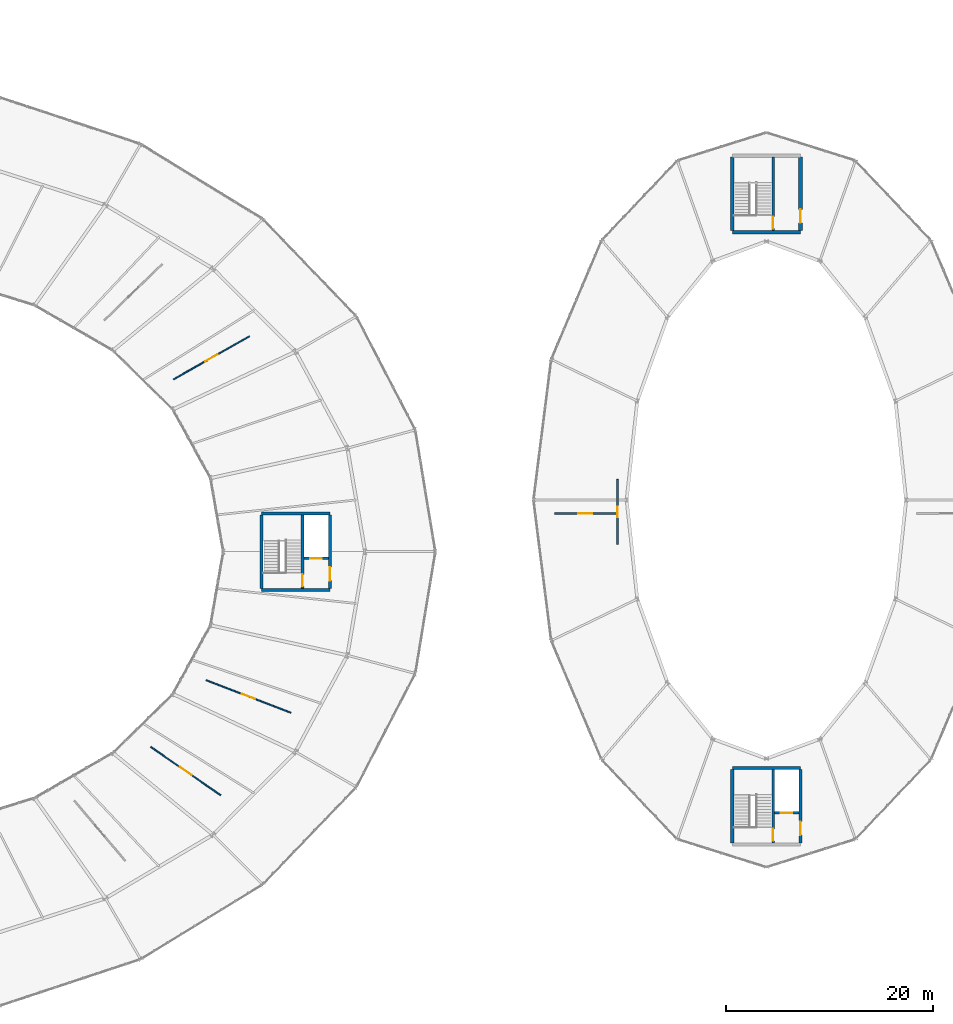
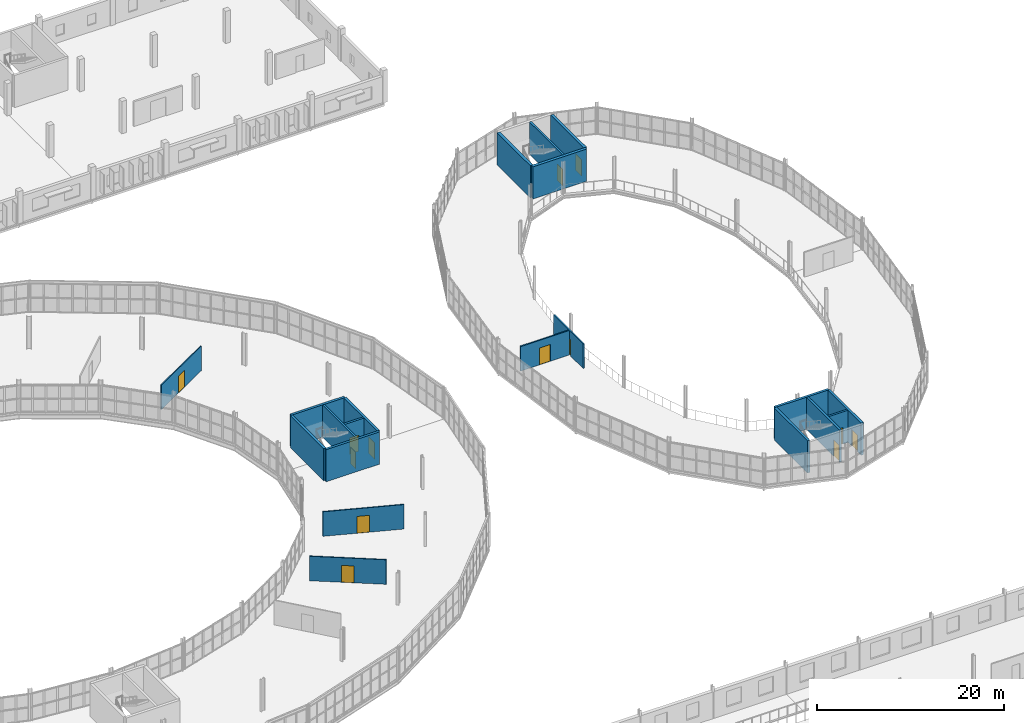
# One storey, part 142 of 161: 20 walls, 13 doors, 13 openings.
"""IFC4 building model written with IfcOpenShell, lengths in metres."""

from ifc_helpers import new_model, si_unit, direction, frame, frame_2d, origin, place, context, subcontext, project, spatial, rectangle, extrude, material, layer, layer_set, type_object, element, fill, save


model = new_model("IFC4")

# Units and contexts
model_context = context("Model", 3, precision=1e-05, world=origin(), true_north=direction((0.0, 1.0)))
body_context = subcontext(model_context, "Body", "Model", "MODEL_VIEW")
ifc_project = project(units=[si_unit("LENGTHUNIT", "METRE"), si_unit("AREAUNIT", "SQUARE_METRE"), si_unit("VOLUMEUNIT", "CUBIC_METRE"), si_unit("PLANEANGLEUNIT", "RADIAN"), si_unit("MASSUNIT", "GRAM", prefix="KILO")], contexts=[model_context])

# Site, building, storey
site_placement = place(None, origin())
site = spatial("IfcSite", under=ifc_project, at=site_placement, CompositionType="ELEMENT")
building_placement = place(site_placement, origin())
building = spatial("IfcBuilding", under=site, at=building_placement, Name="Kildeholm Park Wholesale Market", CompositionType="ELEMENT")
storey_placement = place(building_placement, frame((0.0, 0.0, 5.39990234375)))
storey = spatial("IfcBuildingStorey", under=building, at=storey_placement, Name="L01", CompositionType="ELEMENT", Elevation=5.39990234375)

# Wall, opening, door
ifc_material_1 = material(Name="Galvanized steel stud and moisture-resistant tile partition", Category="steel")
ifc_layer_1 = layer(ifc_material_1, 0.1201171875)
ifc_layer_set_1 = layer_set([ifc_layer_1], Name="Galvanized steel stud and moisture-resistant tile partition")
wall_type_1 = type_object("IfcWallType", Name="Partition W-PT02 120 mm", PredefinedType="PARTITIONING", material=ifc_layer_set_1)
wall_1_placement = place(storey_placement, frame((130.6669921875, 106.158935546875, 0.0), z_axis=(0.0, 0.0, 1.0), x_axis=(0.869564093622, 0.493820095869, 0.0)))
wall_1 = element("IfcWall", 1, at=wall_1_placement, inside=storey, type_object=wall_type_1, Name="Interior partition W-V1-ST1-02 WL-0935", PredefinedType="PARTITIONING", context=body_context, shape_type="SweptSolid", body=[
    extrude(rectangle(XDim=8.442138671875, YDim=0.1201171875, at=frame_2d((4.22119140625, 0.0))), origin(), (0.0, 0.0, 1.0), 3.2001953125),
])
opening_1_placement = place(wall_1_placement, frame((3.5458984375, 0.0, 0.0)))
opening_1 = element("IfcOpeningElement", 2, at=opening_1_placement, cuts=wall_1, Name="Opening D-IN07", PredefinedType="OPENING", context=body_context, shape_type="SweptSolid", body=[
    extrude(rectangle(XDim=1.35009765625, YDim=2.199951171875, at=frame_2d((0.675048828125, 1.10009765625))), frame((0.0, 0.070068359375, 0.0), z_axis=(0.0, -1.0, 0.0), x_axis=(1.0, 0.0, 0.0)), (0.0, 0.0, 1.0), 0.14013671875),
])
ifc_material_2 = material(Name="Wholesale stall service doorset")
door_type_1 = type_object("IfcDoorType", Name="Interior door D-IN07 1350x2200", OperationType="NOTDEFINED", PredefinedType="DOOR", material=ifc_material_2)
door_1_placement = place(opening_1_placement, origin())
door_1 = element("IfcDoor", 3, at=door_1_placement, inside=storey, type_object=door_type_1, Name="Interior door V1-ST1-02 DR-0210 WL-0935", OperationType="SINGLE_SWING_RIGHT", OverallHeight=2.199951171875, OverallWidth=1.35009765625, PredefinedType="DOOR", context=body_context, shape_type="SweptSolid", body=[
    extrude(rectangle(XDim=1.35009765625, YDim=2.199951171875, at=frame_2d((0.675048828125, 1.10009765625))), frame((0.0, 0.02490234375, 0.0), z_axis=(0.0, -1.0, 0.0), x_axis=(1.0, 0.0, 0.0)), (0.0, 0.0, 1.0), 0.050048828125),
])
fill(opening_1, door_1)

wall_2_placement = place(storey_placement, frame((128.47509765625, 70.6259765625, 0.0), z_axis=(0.0, 0.0, 1.0), x_axis=(0.822666462931, -0.568524309743, 0.0)))
wall_2 = element("IfcWall", 4, at=wall_2_placement, inside=storey, type_object=wall_type_1, Name="Interior partition W-V1-ST1-21 WL-0952", PredefinedType="PARTITIONING", context=body_context, shape_type="SweptSolid", body=[
    extrude(rectangle(XDim=8.22314453125, YDim=0.1201171875, at=frame_2d((4.111572265625, 0.0))), origin(), (0.0, 0.0, 1.0), 3.2001953125),
])
opening_2_placement = place(wall_2_placement, frame((3.43701171875, 0.0, 0.0)))
opening_2 = element("IfcOpeningElement", 5, at=opening_2_placement, cuts=wall_2, Name="Opening D-IN07", PredefinedType="OPENING", context=body_context, shape_type="SweptSolid", body=[
    extrude(rectangle(XDim=1.35009765625, YDim=2.199951171875, at=frame_2d((0.675048828125, 1.10009765625))), frame((0.0, 0.070068359375, 0.0), z_axis=(0.0, -1.0, 0.0), x_axis=(1.0, 0.0, 0.0)), (0.0, 0.0, 1.0), 0.14013671875),
])
door_2_placement = place(opening_2_placement, origin())
door_2 = element("IfcDoor", 6, at=door_2_placement, inside=storey, type_object=door_type_1, Name="Interior door V1-ST1-21 DR-0227 WL-0952", OperationType="SINGLE_SWING_LEFT", OverallHeight=2.199951171875, OverallWidth=1.35009765625, PredefinedType="DOOR", context=body_context, shape_type="SweptSolid", body=[
    extrude(rectangle(XDim=1.35009765625, YDim=2.199951171875, at=frame_2d((0.675048828125, 1.10009765625))), frame((0.0, 0.02490234375, 0.0), z_axis=(0.0, -1.0, 0.0), x_axis=(1.0, 0.0, 0.0)), (0.0, 0.0, 1.0), 0.050048828125),
])
fill(opening_2, door_2)

wall_3_placement = place(storey_placement, frame((133.830078125, 77.08203125, 0.0), z_axis=(0.0, 0.0, 1.0), x_axis=(0.933238808021, -0.359256631399, 0.0)))
wall_3 = element("IfcWall", 7, at=wall_3_placement, inside=storey, type_object=wall_type_1, Name="Interior partition W-V1-ST1-22 WL-0955", PredefinedType="PARTITIONING", context=body_context, shape_type="SweptSolid", body=[
    extrude(rectangle(XDim=8.7822265625, YDim=0.1201171875, at=frame_2d((4.39111328125, 0.0))), origin(), (0.0, 0.0, 1.0), 3.2001953125),
])
opening_3_placement = place(wall_3_placement, frame((3.716064453125, 0.0, 0.0)))
opening_3 = element("IfcOpeningElement", 8, at=opening_3_placement, cuts=wall_3, Name="Opening D-IN07", PredefinedType="OPENING", context=body_context, shape_type="SweptSolid", body=[
    extrude(rectangle(XDim=1.35009765625, YDim=2.199951171875, at=frame_2d((0.675048828125, 1.10009765625))), frame((0.0, 0.070068359375, 0.0), z_axis=(0.0, -1.0, 0.0), x_axis=(1.0, 0.0, 0.0)), (0.0, 0.0, 1.0), 0.14013671875),
])
door_3_placement = place(opening_3_placement, origin())
door_3 = element("IfcDoor", 9, at=door_3_placement, inside=storey, type_object=door_type_1, Name="Interior door V1-ST1-22 DR-0230 WL-0955", OperationType="SINGLE_SWING_RIGHT", OverallHeight=2.199951171875, OverallWidth=1.35009765625, PredefinedType="DOOR", context=body_context, shape_type="SweptSolid", body=[
    extrude(rectangle(XDim=1.35009765625, YDim=2.199951171875, at=frame_2d((0.675048828125, 1.10009765625))), frame((0.0, 0.02490234375, 0.0), z_axis=(0.0, -1.0, 0.0), x_axis=(1.0, 0.0, 0.0)), (0.0, 0.0, 1.0), 0.050048828125),
])
fill(opening_3, door_3)

ifc_material_3 = material(Name="Hygienic ceramic-tiled wet fish stall partition")
ifc_layer_2 = layer(ifc_material_3, 0.1650390625)
ifc_layer_set_2 = layer_set([ifc_layer_2], Name="Hygienic ceramic-tiled wet fish stall partition")
wall_type_2 = type_object("IfcWallType", Name="Partition W-PT05 165 mm", PredefinedType="PARTITIONING", material=ifc_layer_set_2)
wall_4_placement = place(storey_placement, frame((167.5, 93.199951171875, 0.0), z_axis=(0.0, 0.0, 1.0), x_axis=(1.0, 0.0, 0.0)))
wall_4 = element("IfcWall", 10, at=wall_4_placement, inside=storey, type_object=wall_type_2, Name="Interior partition W-V2-L01-W WL-0962", PredefinedType="PARTITIONING", context=body_context, shape_type="SweptSolid", body=[
    extrude(rectangle(XDim=6.0, YDim=0.1650390625, at=frame_2d((3.0, 0.0))), origin(), (0.0, 0.0, 1.0), 3.2001953125),
])
opening_4_placement = place(wall_4_placement, frame((2.324951171875, 0.0, 0.0)))
opening_4 = element("IfcOpeningElement", 11, at=opening_4_placement, cuts=wall_4, Name="Opening D-IN07", PredefinedType="OPENING", context=body_context, shape_type="SweptSolid", body=[
    extrude(rectangle(XDim=1.35009765625, YDim=2.199951171875, at=frame_2d((0.675048828125, 1.10009765625))), frame((0.0, 0.092529296875, 0.0), z_axis=(0.0, -1.0, 0.0), x_axis=(1.0, 0.0, 0.0)), (0.0, 0.0, 1.0), 0.18505859375),
])
door_4_placement = place(opening_4_placement, origin())
door_4 = element("IfcDoor", 12, at=door_4_placement, inside=storey, type_object=door_type_1, Name="Interior door V2-L01-W DR-0237 WL-0962", OperationType="SINGLE_SWING_LEFT", OverallHeight=2.199951171875, OverallWidth=1.35009765625, PredefinedType="DOOR", context=body_context, shape_type="SweptSolid", body=[
    extrude(rectangle(XDim=1.35009765625, YDim=2.199951171875, at=frame_2d((0.675048828125, 1.10009765625))), frame((0.0, 0.02490234375, 0.0), z_axis=(0.0, -1.0, 0.0), x_axis=(1.0, 0.0, 0.0)), (0.0, 0.0, 1.0), 0.050048828125),
])
fill(opening_4, door_4)

ifc_material_4 = material(Name="Tile-faced sanitary core partition")
ifc_layer_3 = layer(ifc_material_4, 0.155029296875)
ifc_layer_set_3 = layer_set([ifc_layer_3], Name="Tile-faced sanitary core partition")
wall_type_3 = type_object("IfcWallType", Name="Partition W-PT15 155 mm", PredefinedType="PARTITIONING", material=ifc_layer_set_3)
wall_5_placement = place(storey_placement, frame((173.60009765625, 90.199951171875, 0.0), z_axis=(0.0, 0.0, 1.0), x_axis=(0.0, 1.0, 0.0)))
wall_5 = element("IfcWall", 13, at=wall_5_placement, inside=storey, type_object=wall_type_3, Name="Interior partition W-V2-WC-E1 WL-0961", PredefinedType="PARTITIONING", context=body_context, shape_type="SweptSolid", body=[
    extrude(rectangle(XDim=6.300048828125, YDim=0.155029296875, at=frame_2d((3.14990234375, 0.0))), origin(), (0.0, 0.0, 1.0), 3.2001953125),
])
opening_5_placement = place(wall_5_placement, frame((2.64990234375, 0.0, 0.0)))
opening_5 = element("IfcOpeningElement", 14, at=opening_5_placement, cuts=wall_5, Name="Opening D-IN02", PredefinedType="OPENING", context=body_context, shape_type="SweptSolid", body=[
    extrude(rectangle(XDim=1.0, YDim=2.10009765625, at=frame_2d((0.5, 1.050048828125))), frame((0.0, 0.08740234375, 0.0), z_axis=(0.0, -1.0, 0.0), x_axis=(1.0, 0.0, 0.0)), (0.0, 0.0, 1.0), 0.175048828125),
])
ifc_material_5 = material(Name="Hygienic laminate accessible WC doorset")
door_type_2 = type_object("IfcDoorType", Name="Interior door D-IN02 1000x2100", OperationType="NOTDEFINED", PredefinedType="DOOR", material=ifc_material_5)
door_5_placement = place(opening_5_placement, origin())
door_5 = element("IfcDoor", 15, at=door_5_placement, inside=storey, type_object=door_type_2, Name="Interior door V2-WC-E1 DR-0236 WL-0961", OperationType="SINGLE_SWING_RIGHT", OverallHeight=2.10009765625, OverallWidth=1.0, PredefinedType="DOOR", context=body_context, shape_type="SweptSolid", body=[
    extrude(rectangle(XDim=1.0, YDim=2.10009765625, at=frame_2d((0.5, 1.050048828125))), frame((0.0, 0.02490234375, 0.0), z_axis=(0.0, -1.0, 0.0), x_axis=(1.0, 0.0, 0.0)), (0.0, 0.0, 1.0), 0.050048828125),
])
fill(opening_5, door_5)

# Walls
ifc_material_6 = material(Name="Concrete C40/50", Category="concrete")
ifc_layer_4 = layer(ifc_material_6, 0.300048828125)
ifc_layer_set_4 = layer_set([ifc_layer_4], Name="Concrete C40/50")
wall_type_4 = type_object("IfcWallType", Name="Shear wall W-SH1 300 mm", PredefinedType="SHEAR", material=ifc_layer_set_4)
for number, where, z_axis, x_axis, name in (
    (16, (139.199951171875, 85.800048828125, 0.0), (0.0, 0.0, 1.0), (1.0, 0.0, 0.0), "Core C08 south shear wall L01 WL-0798"),
    (17, (139.199951171875, 93.199951171875, 0.0), (0.0, 0.0, 1.0), (1.0, 0.0, 0.0), "Core C08 north shear wall L01 WL-0799"),
):
    element("IfcWall", number, at=place(storey_placement, frame(where, z_axis=z_axis, x_axis=x_axis)), inside=storey, type_object=wall_type_4, Name=name, PredefinedType="SHEAR", context=body_context, shape_type="SweptSolid", body=[
        extrude(rectangle(XDim=6.60009765625, YDim=0.300048828125, at=frame_2d((3.300048828125, 0.0))), origin(), (0.0, 0.0, 1.0), 4.2001953125),
    ])
wall_6_placement = place(storey_placement, frame((139.199951171875, 85.949951171875, 0.0), z_axis=(0.0, 0.0, 1.0), x_axis=(0.0, 1.0, 0.0)))
element("IfcWall", 18, at=wall_6_placement, inside=storey, type_object=wall_type_4, Name="Core C08 west shear wall L01 WL-0800", PredefinedType="SHEAR", context=body_context, shape_type="SweptSolid", body=[
    extrude(rectangle(XDim=7.10009765625, YDim=0.300048828125, at=frame_2d((3.550048828125, 0.0))), origin(), (0.0, 0.0, 1.0), 4.2001953125),
])

# Wall, opening, door
wall_7_placement = place(storey_placement, frame((145.800048828125, 85.949951171875, 0.0), z_axis=(0.0, 0.0, 1.0), x_axis=(0.0, 1.0, 0.0)))
wall_7 = element("IfcWall", 19, at=wall_7_placement, inside=storey, type_object=wall_type_4, Name="Core C08 east shear wall L01 WL-0801", PredefinedType="SHEAR", context=body_context, shape_type="SweptSolid", body=[
    extrude(rectangle(XDim=7.10009765625, YDim=0.300048828125, at=frame_2d((3.550048828125, 0.0))), origin(), (0.0, 0.0, 1.0), 4.2001953125),
])
opening_6_placement = place(wall_7_placement, frame((0.75, 0.0, 0.0)))
opening_6 = element("IfcOpeningElement", 20, at=opening_6_placement, cuts=wall_7, Name="Opening D-CR02", PredefinedType="OPENING", context=body_context, shape_type="SweptSolid", body=[
    extrude(rectangle(XDim=1.300048828125, YDim=2.14990234375, at=frame_2d((0.64990234375, 1.074951171875))), frame((0.0, 0.159912109375, 0.0), z_axis=(0.0, -1.0, 0.0), x_axis=(1.0, 0.0, 0.0)), (0.0, 0.0, 1.0), 0.320068359375),
])
ifc_material_7 = material(Name="Painted steel core lobby double-leaf doorset", Category="steel")
door_type_3 = type_object("IfcDoorType", Name="Interior door D-CR02 1300x2150", OperationType="NOTDEFINED", PredefinedType="DOOR", material=ifc_material_7)
door_6_placement = place(opening_6_placement, frame((1.300048828125, 0.0, 0.0), z_axis=(0.0, 0.0, 1.0), x_axis=(-1.0, 0.0, 0.0)))
door_6 = element("IfcDoor", 21, at=door_6_placement, inside=storey, type_object=door_type_3, Name="Core C08 lobby entrance door L01 DR-0150 WL-0801", OperationType="DOUBLE_DOOR_SINGLE_SWING", OverallHeight=2.14990234375, OverallWidth=1.300048828125, PredefinedType="DOOR", context=body_context, shape_type="SweptSolid", body=[
    extrude(rectangle(XDim=1.300048828125, YDim=2.14990234375, at=frame_2d((0.64990234375, 1.074951171875))), frame((0.0, 0.02490234375, 0.0), z_axis=(0.0, -1.0, 0.0), x_axis=(1.0, 0.0, 0.0)), (0.0, 0.0, 1.0), 0.050048828125),
])
fill(opening_6, door_6)

# Walls
wall_8_placement = place(storey_placement, frame((184.699951171875, 68.60009765625, 0.0), z_axis=(0.0, 0.0, 1.0), x_axis=(1.0, 0.0, 0.0)))
element("IfcWall", 22, at=wall_8_placement, inside=storey, type_object=wall_type_4, Name="Core C12 north shear wall L01 WL-0865", PredefinedType="SHEAR", context=body_context, shape_type="SweptSolid", body=[
    extrude(rectangle(XDim=6.60009765625, YDim=0.300048828125, at=frame_2d((3.300048828125, 0.0))), origin(), (0.0, 0.0, 1.0), 4.2001953125),
])
wall_9_placement = place(storey_placement, frame((184.699951171875, 61.35009765625, 0.0), z_axis=(0.0, 0.0, 1.0), x_axis=(0.0, 1.0, 0.0)))
element("IfcWall", 23, at=wall_9_placement, inside=storey, type_object=wall_type_4, Name="Core C12 west shear wall L01 WL-0866", PredefinedType="SHEAR", context=body_context, shape_type="SweptSolid", body=[
    extrude(rectangle(XDim=7.099853515625, YDim=0.300048828125, at=frame_2d((3.5498046875, 0.0))), origin(), (0.0, 0.0, 1.0), 4.2001953125),
])

# Wall, opening, door
wall_10_placement = place(storey_placement, frame((191.300048828125, 61.35009765625, 0.0), z_axis=(0.0, 0.0, 1.0), x_axis=(0.0, 1.0, 0.0)))
wall_10 = element("IfcWall", 24, at=wall_10_placement, inside=storey, type_object=wall_type_4, Name="Core C12 east shear wall L01 WL-0867", PredefinedType="SHEAR", context=body_context, shape_type="SweptSolid", body=[
    extrude(rectangle(XDim=7.099853515625, YDim=0.300048828125, at=frame_2d((3.5498046875, 0.0))), origin(), (0.0, 0.0, 1.0), 4.2001953125),
])
opening_7_placement = place(wall_10_placement, frame((0.75, 0.0, 0.0)))
opening_7 = element("IfcOpeningElement", 25, at=opening_7_placement, cuts=wall_10, Name="Opening D-CR02", PredefinedType="OPENING", context=body_context, shape_type="SweptSolid", body=[
    extrude(rectangle(XDim=1.300048828125, YDim=2.14990234375, at=frame_2d((0.64990234375, 1.074951171875))), frame((0.0, 0.159912109375, 0.0), z_axis=(0.0, -1.0, 0.0), x_axis=(1.0, 0.0, 0.0)), (0.0, 0.0, 1.0), 0.320068359375),
])
door_7_placement = place(opening_7_placement, frame((1.300048828125, 0.0, 0.0), z_axis=(0.0, 0.0, 1.0), x_axis=(-1.0, 0.0, 0.0)))
door_7 = element("IfcDoor", 26, at=door_7_placement, inside=storey, type_object=door_type_3, Name="Core C12 lobby entrance door L01 DR-0184 WL-0867", OperationType="DOUBLE_DOOR_SINGLE_SWING", OverallHeight=2.14990234375, OverallWidth=1.300048828125, PredefinedType="DOOR", context=body_context, shape_type="SweptSolid", body=[
    extrude(rectangle(XDim=1.300048828125, YDim=2.14990234375, at=frame_2d((0.64990234375, 1.074951171875))), frame((0.0, 0.02490234375, 0.0), z_axis=(0.0, -1.0, 0.0), x_axis=(1.0, 0.0, 0.0)), (0.0, 0.0, 1.0), 0.050048828125),
])
fill(opening_7, door_7)

ifc_layer_5 = layer(ifc_material_6, 0.25)
ifc_layer_set_5 = layer_set([ifc_layer_5], Name="Concrete C40/50")
wall_type_5 = type_object("IfcWallType", Name="Shear wall W-SH2 250 mm", PredefinedType="SHEAR", material=ifc_layer_set_5)
wall_11_placement = place(storey_placement, frame((143.14990234375, 85.949951171875, 0.0), z_axis=(0.0, 0.0, 1.0), x_axis=(0.0, 1.0, 0.0)))
wall_11 = element("IfcWall", 27, at=wall_11_placement, inside=storey, type_object=wall_type_5, Name="Core C08 shaft wall L01 WL-0802", PredefinedType="SHEAR", context=body_context, shape_type="SweptSolid", body=[
    extrude(rectangle(XDim=7.10009765625, YDim=0.25, at=frame_2d((3.550048828125, 0.0))), origin(), (0.0, 0.0, 1.0), 4.2001953125),
])
opening_8_placement = place(wall_11_placement, frame((0.199951171875, 0.0, 0.0)))
opening_8 = element("IfcOpeningElement", 28, at=opening_8_placement, cuts=wall_11, Name="Opening D-CR01", PredefinedType="OPENING", context=body_context, shape_type="SweptSolid", body=[
    extrude(rectangle(XDim=1.14990234375, YDim=2.14990234375, at=frame_2d((0.574951171875, 1.074951171875))), frame((0.0, 0.135009765625, 0.0), z_axis=(0.0, -1.0, 0.0), x_axis=(1.0, 0.0, 0.0)), (0.0, 0.0, 1.0), 0.27001953125),
])
ifc_material_8 = material(Name="Painted steel fire escape doorset", Category="steel")
door_type_4 = type_object("IfcDoorType", Name="Interior door D-CR01 1150x2150", OperationType="NOTDEFINED", PredefinedType="DOOR", material=ifc_material_8)
door_8_placement = place(opening_8_placement, frame((1.14990234375, 0.0, 0.0), z_axis=(0.0, 0.0, 1.0), x_axis=(-1.0, 0.0, 0.0)))
door_8 = element("IfcDoor", 29, at=door_8_placement, inside=storey, type_object=door_type_4, Name="Core C08 stair fire door L01 DR-0151 WL-0802", OperationType="SINGLE_SWING_RIGHT", OverallHeight=2.14990234375, OverallWidth=1.14990234375, PredefinedType="DOOR", context=body_context, shape_type="SweptSolid", body=[
    extrude(rectangle(XDim=1.14990234375, YDim=2.14990234375, at=frame_2d((0.574951171875, 1.074951171875))), frame((0.0, 0.02490234375, 0.0), z_axis=(0.0, -1.0, 0.0), x_axis=(1.0, 0.0, 0.0)), (0.0, 0.0, 1.0), 0.050048828125),
])
fill(opening_8, door_8)

wall_12_placement = place(storey_placement, frame((143.27001953125, 88.85009765625, 0.0), z_axis=(0.0, 0.0, 1.0), x_axis=(1.0, 0.0, 0.0)))
wall_12 = element("IfcWall", 30, at=wall_12_placement, inside=storey, type_object=wall_type_5, Name="Lift LF-03 shaft front wall L01 WL-0803", PredefinedType="SHEAR", context=body_context, shape_type="SweptSolid", body=[
    extrude(rectangle(XDim=2.3798828125, YDim=0.25, at=frame_2d((1.18994140625, 0.0))), origin(), (0.0, 0.0, 1.0), 4.2001953125),
])
opening_9_placement = place(wall_12_placement, frame((0.639892578125, 0.0, 0.0)))
opening_9 = element("IfcOpeningElement", 31, at=opening_9_placement, cuts=wall_12, Name="Opening LD-03", PredefinedType="OPENING", context=body_context, shape_type="SweptSolid", body=[
    extrude(rectangle(XDim=1.10009765625, YDim=2.14990234375, at=frame_2d((0.550048828125, 1.074951171875))), frame((0.0, 0.135009765625, 0.0), z_axis=(0.0, -1.0, 0.0), x_axis=(1.0, 0.0, 0.0)), (0.0, 0.0, 1.0), 0.27001953125),
])
ifc_material_9 = material(Name="Stainless steel AISI 316 passenger lift landing door", Category="steel")
door_type_5 = type_object("IfcDoorType", Name="Interior door D-LD01 1100x2150", OperationType="NOTDEFINED", PredefinedType="DOOR", material=ifc_material_9)
door_9_placement = place(opening_9_placement, origin())
door_9 = element("IfcDoor", 32, at=door_9_placement, inside=storey, type_object=door_type_5, Name="Lift LF-03 sliding landing door L01 DR-0152 WL-0803", OperationType="SLIDING_TO_LEFT", OverallHeight=2.14990234375, OverallWidth=1.10009765625, PredefinedType="DOOR", context=body_context, shape_type="SweptSolid", body=[
    extrude(rectangle(XDim=1.10009765625, YDim=2.14990234375, at=frame_2d((0.550048828125, 1.074951171875))), frame((0.0, 0.02490234375, 0.0), z_axis=(0.0, -1.0, 0.0), x_axis=(1.0, 0.0, 0.0)), (0.0, 0.0, 1.0), 0.050048828125),
])
fill(opening_9, door_9)

wall_13_placement = place(storey_placement, frame((188.64990234375, 61.35009765625, 0.0), z_axis=(0.0, 0.0, 1.0), x_axis=(0.0, 1.0, 0.0)))
wall_13 = element("IfcWall", 33, at=wall_13_placement, inside=storey, type_object=wall_type_5, Name="Core C12 shaft wall L01 WL-0868", PredefinedType="SHEAR", context=body_context, shape_type="SweptSolid", body=[
    extrude(rectangle(XDim=7.099853515625, YDim=0.25, at=frame_2d((3.5498046875, 0.0))), origin(), (0.0, 0.0, 1.0), 4.2001953125),
])
opening_10_placement = place(wall_13_placement, frame((0.199951171875, 0.0, 0.0)))
opening_10 = element("IfcOpeningElement", 34, at=opening_10_placement, cuts=wall_13, Name="Opening D-CR01", PredefinedType="OPENING", context=body_context, shape_type="SweptSolid", body=[
    extrude(rectangle(XDim=1.14990234375, YDim=2.14990234375, at=frame_2d((0.574951171875, 1.074951171875))), frame((0.0, 0.135009765625, 0.0), z_axis=(0.0, -1.0, 0.0), x_axis=(1.0, 0.0, 0.0)), (0.0, 0.0, 1.0), 0.27001953125),
])
door_10_placement = place(opening_10_placement, frame((1.14990234375, 0.0, 0.0), z_axis=(0.0, 0.0, 1.0), x_axis=(-1.0, 0.0, 0.0)))
door_10 = element("IfcDoor", 35, at=door_10_placement, inside=storey, type_object=door_type_4, Name="Core C12 stair fire door L01 DR-0185 WL-0868", OperationType="SINGLE_SWING_RIGHT", OverallHeight=2.14990234375, OverallWidth=1.14990234375, PredefinedType="DOOR", context=body_context, shape_type="SweptSolid", body=[
    extrude(rectangle(XDim=1.14990234375, YDim=2.14990234375, at=frame_2d((0.574951171875, 1.074951171875))), frame((0.0, 0.02490234375, 0.0), z_axis=(0.0, -1.0, 0.0), x_axis=(1.0, 0.0, 0.0)), (0.0, 0.0, 1.0), 0.050048828125),
])
fill(opening_10, door_10)

wall_14_placement = place(storey_placement, frame((188.77001953125, 64.25, 0.0), z_axis=(0.0, 0.0, 1.0), x_axis=(1.0, 0.0, 0.0)))
wall_14 = element("IfcWall", 36, at=wall_14_placement, inside=storey, type_object=wall_type_5, Name="Lift LF-04 shaft front wall L01 WL-0869", PredefinedType="SHEAR", context=body_context, shape_type="SweptSolid", body=[
    extrude(rectangle(XDim=2.3798828125, YDim=0.25, at=frame_2d((1.18994140625, 0.0))), origin(), (0.0, 0.0, 1.0), 4.2001953125),
])
opening_11_placement = place(wall_14_placement, frame((0.639892578125, 0.0, 0.0)))
opening_11 = element("IfcOpeningElement", 37, at=opening_11_placement, cuts=wall_14, Name="Opening LD-04", PredefinedType="OPENING", context=body_context, shape_type="SweptSolid", body=[
    extrude(rectangle(XDim=1.10009765625, YDim=2.14990234375, at=frame_2d((0.550048828125, 1.074951171875))), frame((0.0, 0.135009765625, 0.0), z_axis=(0.0, -1.0, 0.0), x_axis=(1.0, 0.0, 0.0)), (0.0, 0.0, 1.0), 0.27001953125),
])
door_11_placement = place(opening_11_placement, origin())
door_11 = element("IfcDoor", 38, at=door_11_placement, inside=storey, type_object=door_type_5, Name="Lift LF-04 sliding landing door L01 DR-0186 WL-0869", OperationType="SLIDING_TO_LEFT", OverallHeight=2.14990234375, OverallWidth=1.10009765625, PredefinedType="DOOR", context=body_context, shape_type="SweptSolid", body=[
    extrude(rectangle(XDim=1.10009765625, YDim=2.14990234375, at=frame_2d((0.550048828125, 1.074951171875))), frame((0.0, 0.02490234375, 0.0), z_axis=(0.0, -1.0, 0.0), x_axis=(1.0, 0.0, 0.0)), (0.0, 0.0, 1.0), 0.050048828125),
])
fill(opening_11, door_11)

wall_15_placement = place(storey_placement, frame((188.64990234375, 120.550048828125, 0.0), z_axis=(0.0, 0.0, 1.0), x_axis=(0.0, 1.0, 0.0)))
wall_15 = element("IfcWall", 39, at=wall_15_placement, inside=storey, type_object=wall_type_5, Name="Core C13 shaft wall L01 WL-0885", PredefinedType="SHEAR", context=body_context, shape_type="SweptSolid", body=[
    extrude(rectangle(XDim=7.099853515625, YDim=0.25, at=frame_2d((3.5498046875, 0.0))), origin(), (0.0, 0.0, 1.0), 4.2001953125),
])
opening_12_placement = place(wall_15_placement, frame((0.199951171875, 0.0, 0.0)))
opening_12 = element("IfcOpeningElement", 40, at=opening_12_placement, cuts=wall_15, Name="Opening D-CR01", PredefinedType="OPENING", context=body_context, shape_type="SweptSolid", body=[
    extrude(rectangle(XDim=1.14990234375, YDim=2.14990234375, at=frame_2d((0.574951171875, 1.074951171875))), frame((0.0, 0.135009765625, 0.0), z_axis=(0.0, -1.0, 0.0), x_axis=(1.0, 0.0, 0.0)), (0.0, 0.0, 1.0), 0.27001953125),
])
door_12_placement = place(opening_12_placement, frame((1.14990234375, 0.0, 0.0), z_axis=(0.0, 0.0, 1.0), x_axis=(-1.0, 0.0, 0.0)))
door_12 = element("IfcDoor", 41, at=door_12_placement, inside=storey, type_object=door_type_4, Name="Core C13 stair fire door L01 DR-0194 WL-0885", OperationType="SINGLE_SWING_LEFT", OverallHeight=2.14990234375, OverallWidth=1.14990234375, PredefinedType="DOOR", context=body_context, shape_type="SweptSolid", body=[
    extrude(rectangle(XDim=1.14990234375, YDim=2.14990234375, at=frame_2d((0.574951171875, 1.074951171875))), frame((0.0, 0.02490234375, 0.0), z_axis=(0.0, -1.0, 0.0), x_axis=(1.0, 0.0, 0.0)), (0.0, 0.0, 1.0), 0.050048828125),
])
fill(opening_12, door_12)

# Walls
ifc_layer_6 = layer(ifc_material_6, 0.35009765625)
ifc_layer_set_6 = layer_set([ifc_layer_6], Name="Concrete C40/50")
wall_type_6 = type_object("IfcWallType", Name="Shear wall W-SH3 350 mm", PredefinedType="SHEAR", material=ifc_layer_set_6)
wall_16_placement = place(storey_placement, frame((184.699951171875, 120.39990234375, 0.0), z_axis=(0.0, 0.0, 1.0), x_axis=(1.0, 0.0, 0.0)))
element("IfcWall", 42, at=wall_16_placement, inside=storey, type_object=wall_type_6, Name="Core C13 south shear wall L01 WL-0881", PredefinedType="SHEAR", context=body_context, shape_type="SweptSolid", body=[
    extrude(rectangle(XDim=6.60009765625, YDim=0.35009765625, at=frame_2d((3.300048828125, 0.0))), origin(), (0.0, 0.0, 1.0), 4.2001953125),
])
wall_17_placement = place(storey_placement, frame((184.699951171875, 120.550048828125, 0.0), z_axis=(0.0, 0.0, 1.0), x_axis=(0.0, 1.0, 0.0)))
element("IfcWall", 43, at=wall_17_placement, inside=storey, type_object=wall_type_6, Name="Core C13 west shear wall L01 WL-0883", PredefinedType="SHEAR", context=body_context, shape_type="SweptSolid", body=[
    extrude(rectangle(XDim=7.099853515625, YDim=0.35009765625, at=frame_2d((3.5498046875, 0.0))), origin(), (0.0, 0.0, 1.0), 4.2001953125),
])

# Wall, opening, door
wall_18_placement = place(storey_placement, frame((191.300048828125, 120.550048828125, 0.0), z_axis=(0.0, 0.0, 1.0), x_axis=(0.0, 1.0, 0.0)))
wall_18 = element("IfcWall", 44, at=wall_18_placement, inside=storey, type_object=wall_type_6, Name="Core C13 east shear wall L01 WL-0884", PredefinedType="SHEAR", context=body_context, shape_type="SweptSolid", body=[
    extrude(rectangle(XDim=7.099853515625, YDim=0.35009765625, at=frame_2d((3.5498046875, 0.0))), origin(), (0.0, 0.0, 1.0), 4.2001953125),
])
opening_13_placement = place(wall_18_placement, frame((0.75, 0.0, 0.0)))
opening_13 = element("IfcOpeningElement", 45, at=opening_13_placement, cuts=wall_18, Name="Opening D-CR02", PredefinedType="OPENING", context=body_context, shape_type="SweptSolid", body=[
    extrude(rectangle(XDim=1.300048828125, YDim=2.14990234375, at=frame_2d((0.64990234375, 1.074951171875))), frame((0.0, 0.18505859375, 0.0), z_axis=(0.0, -1.0, 0.0), x_axis=(1.0, 0.0, 0.0)), (0.0, 0.0, 1.0), 0.3701171875),
])
door_13_placement = place(opening_13_placement, frame((1.300048828125, 0.0, 0.0), z_axis=(0.0, 0.0, 1.0), x_axis=(-1.0, 0.0, 0.0)))
door_13 = element("IfcDoor", 46, at=door_13_placement, inside=storey, type_object=door_type_3, Name="Core C13 lobby entrance door L01 DR-0193 WL-0884", OperationType="DOUBLE_DOOR_SINGLE_SWING", OverallHeight=2.14990234375, OverallWidth=1.300048828125, PredefinedType="DOOR", context=body_context, shape_type="SweptSolid", body=[
    extrude(rectangle(XDim=1.300048828125, YDim=2.14990234375, at=frame_2d((0.64990234375, 1.074951171875))), frame((0.0, 0.02490234375, 0.0), z_axis=(0.0, -1.0, 0.0), x_axis=(1.0, 0.0, 0.0)), (0.0, 0.0, 1.0), 0.050048828125),
])
fill(opening_13, door_13)

save(model, "model.ifc")
